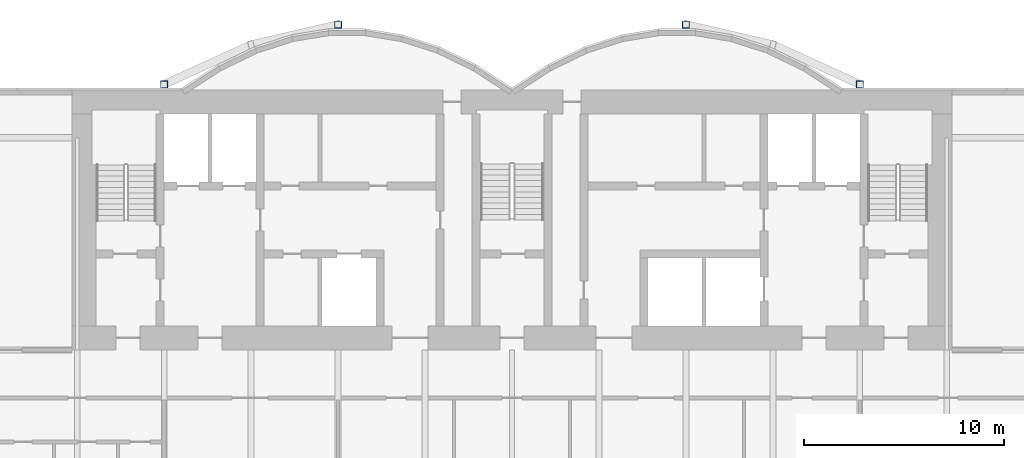
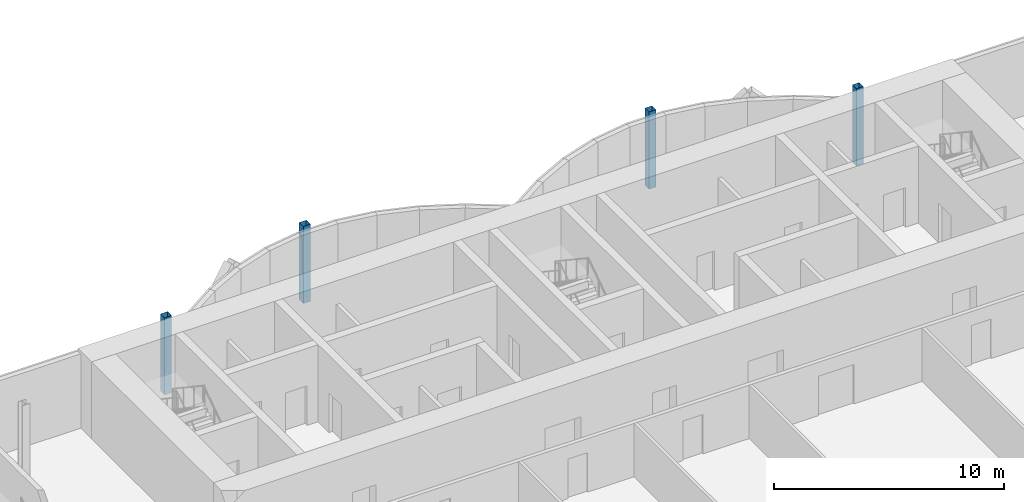
# One storey, part 3 of 20: 4 columns.
"""IFC4 building model written with IfcOpenShell, lengths in metres."""

from ifc_helpers import new_model, si_unit, direction, frame, origin, origin_2d, place, context, subcontext, project, spatial, hollow_rectangle, extrude, material, material_profile, profile_set, type_object, element, save


model = new_model("IFC4")

# Units and contexts
model_context = context("Model", 3, precision=1e-05, world=origin(), true_north=direction((0.0, 1.0)))
body_context = subcontext(model_context, "Body", "Model", "MODEL_VIEW")
ifc_project = project(units=[si_unit("LENGTHUNIT", "METRE"), si_unit("AREAUNIT", "SQUARE_METRE"), si_unit("VOLUMEUNIT", "CUBIC_METRE"), si_unit("PLANEANGLEUNIT", "RADIAN"), si_unit("MASSUNIT", "GRAM", prefix="KILO")], contexts=[model_context])

# Site, building, storey
site_placement = place(None, origin())
site = spatial("IfcSite", under=ifc_project, at=site_placement, CompositionType="ELEMENT")
building_placement = place(site_placement, origin())
building = spatial("IfcBuilding", under=site, at=building_placement, Name="Bicima Exchange Tower", CompositionType="ELEMENT")
storey_placement = place(building_placement, frame((0.0, 0.0, 227.800048828125)))
storey = spatial("IfcBuildingStorey", under=building, at=storey_placement, Name="L51", CompositionType="ELEMENT", Elevation=227.800048828125)

# Columns
ifc_material = material(Name="Steel ASTM A572 Gr 50", Category="steel")
ifc_material_profile = material_profile(ifc_material, hollow_rectangle(XDim=0.355712890625, YDim=0.355712890625, WallThickness=0.01171875, at=origin_2d()))
ifc_profile_set = profile_set([ifc_material_profile], Name="Steel ASTM A572 Gr 50")
column_type = type_object("IfcColumnType", Name="Rear pilaster HSS14x14x1/2", PredefinedType="COLUMN", material=ifc_profile_set)
for number, where, z_axis, x_axis, name in (
    (1, (-8.699951171875, 3.26904296875, 0.0), (0.0, 0.0, 1.0), (1.0, 0.0, 0.0), "Rear pilaster rexo-8.7r"),
    (2, (-17.39990234375, 0.278076171875, 0.0), (0.0, 0.0, 1.0), (1.0, 0.0, 0.0), "Rear pilaster rexo-17.4r"),
    (3, (8.699951171875, 3.26904296875, 0.0), (0.0, 0.0, 1.0), (1.0, 0.0, 0.0), "Rear pilaster rexo+8.7r"),
    (4, (17.39990234375, 0.278076171875, 0.0), (0.0, 0.0, 1.0), (1.0, 0.0, 0.0), "Rear pilaster rexo+17.4r"),
):
    element("IfcColumn", number, at=place(storey_placement, frame(where, z_axis=z_axis, x_axis=x_axis)), inside=storey, type_object=column_type, Name=name, PredefinedType="COLUMN", context=body_context, shape_type="SweptSolid", body=[
        extrude(hollow_rectangle(XDim=0.355712890625, YDim=0.355712890625, WallThickness=0.01171875, at=origin_2d()), origin(), (0.0, 0.0, 1.0), 4.099853515625),
    ])

save(model, "model.ifc")
